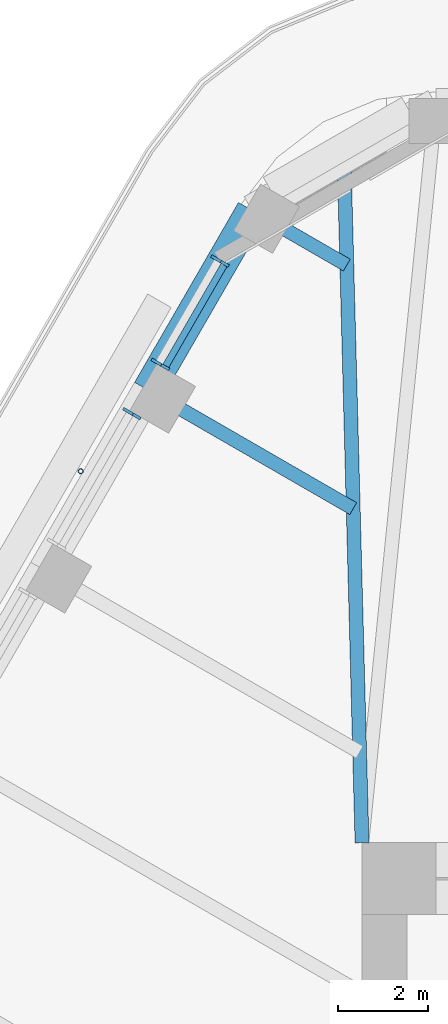
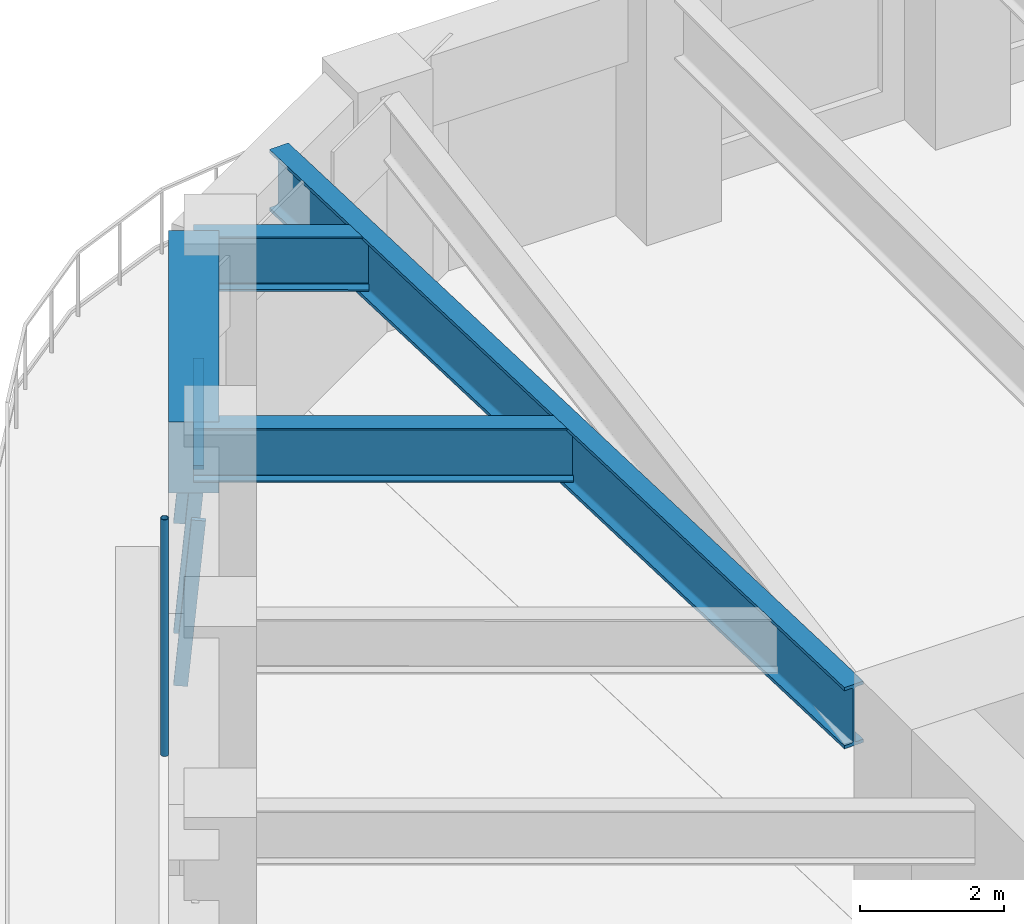
# One storey, part 8 of 20: 5 members, 4 beams, 2 elements without a shape of their own.
"""IFC4 building model written with IfcOpenShell, lengths in metres."""

from ifc_helpers import new_model, si_unit, direction, frame, origin, origin_2d, place, context, subcontext, project, spatial, rectangle, hollow_circle, i_section, extrude, material, material_profile, profile_set, type_object, element, aggregate, save


model = new_model("IFC4")

# Units and contexts
model_context = context("Model", 3, precision=1e-05, world=origin(), true_north=direction((0.0, 1.0)))
body_context = subcontext(model_context, "Body", "Model", "MODEL_VIEW")
ifc_project = project(units=[si_unit("LENGTHUNIT", "METRE"), si_unit("AREAUNIT", "SQUARE_METRE"), si_unit("VOLUMEUNIT", "CUBIC_METRE"), si_unit("PLANEANGLEUNIT", "RADIAN"), si_unit("MASSUNIT", "GRAM", prefix="KILO")], contexts=[model_context])

# Site, building, storey
site_placement = place(None, origin())
site = spatial("IfcSite", under=ifc_project, at=site_placement, CompositionType="ELEMENT")
building_placement = place(site_placement, origin())
building = spatial("IfcBuilding", under=site, at=building_placement, Name="Tarfa Lantern Tower", CompositionType="ELEMENT")
storey_placement = place(building_placement, frame((0.0, 0.0, 261.699951171875)))
storey = spatial("IfcBuildingStorey", under=building, at=storey_placement, Name="L59", CompositionType="ELEMENT", Elevation=261.699951171875)

# Curtain wall, members
ifc_material_1 = material(Name="Aluminium framed curtain wall", Category="aluminium")
curtain_wall_type = type_object("IfcCurtainWallType", Name="CW3 CANTED GLAZING HIGH ZONE 2800", PredefinedType="USERDEFINED", material=ifc_material_1)
curtain_wall_1_placement = place(storey_placement, origin())
curtain_wall_1 = element("IfcCurtainWall", 1, at=curtain_wall_1_placement, inside=storey, type_object=curtain_wall_type, Name="CW3 NW L59", ObjectType="CURTAIN WALL", PredefinedType="USERDEFINED")
ifc_material_2 = material(Name="Aluminium mullion", Category="aluminium")
ifc_material_profile_1 = material_profile(ifc_material_2, rectangle(XDim=0.06494140625, YDim=0.199951171875, at=origin_2d()), Name="AL MULLION 65x200")
ifc_profile_set_1 = profile_set([ifc_material_profile_1], Name="Aluminium mullion")
member_type_1 = type_object("IfcMemberType", Name="CWM1 MULLION 65x200", PredefinedType="MULLION", material=ifc_profile_set_1)
member_1_placement = place(storey_placement, frame((-18.76611328125, 25.296142578125, 0.0), z_axis=(0.077032386753, -0.044465143199, 0.996036576854), x_axis=(0.499919672301, 0.866071776036, 0.0)))
member_1 = element("IfcMember", 2, at=member_1_placement, type_object=member_type_1, Name="CW3 mullion 1", PredefinedType="MULLION", context=body_context, shape_type="SweptSolid", body=[
    extrude(rectangle(XDim=0.06494140625, YDim=0.199951171875, at=origin_2d()), origin(), (0.0, 0.0, 1.0), 2.811279296875),
])
member_2_placement = place(storey_placement, frame((-20.093017578125, 22.997802734375, 0.0), z_axis=(0.077032386753, -0.044465143199, 0.996036576854), x_axis=(0.499919672301, 0.866071776036, 0.0)))
member_2 = element("IfcMember", 3, at=member_2_placement, type_object=member_type_1, Name="CW3 mullion 2", PredefinedType="MULLION", context=body_context, shape_type="SweptSolid", body=[
    extrude(rectangle(XDim=0.06494140625, YDim=0.199951171875, at=origin_2d()), origin(), (0.0, 0.0, 1.0), 2.811279296875),
])

# Curtain wall, member
curtain_wall_2_placement = place(storey_placement, origin())
curtain_wall_2 = element("IfcCurtainWall", 4, at=curtain_wall_2_placement, inside=storey, type_object=curtain_wall_type, Name="CW3 NW L59", ObjectType="CURTAIN WALL", PredefinedType="USERDEFINED")
member_3_placement = place(storey_placement, frame((-20.7255859375, 21.90234375, 0.0), z_axis=(0.077032386753, -0.044465143199, 0.996036576854), x_axis=(0.499919672301, 0.866071776036, 0.0)))
member_3 = element("IfcMember", 5, at=member_3_placement, type_object=member_type_1, Name="CW3 mullion 1", PredefinedType="MULLION", context=body_context, shape_type="SweptSolid", body=[
    extrude(rectangle(XDim=0.06494140625, YDim=0.199951171875, at=origin_2d()), origin(), (0.0, 0.0, 1.0), 2.811279296875),
])
aggregate(curtain_wall_2, [member_3])

# Member
ifc_material_3 = material(Name="Aluminium transom", Category="aluminium")
ifc_material_profile_2 = material_profile(ifc_material_3, rectangle(XDim=0.14990234375, YDim=0.06494140625, at=origin_2d()), Name="AL TRANSOM 150x65")
ifc_profile_set_2 = profile_set([ifc_material_profile_2], Name="Aluminium transom")
member_type_2 = type_object("IfcMemberType", Name="CWT1 TRANSOM 150x65", PredefinedType="USERDEFINED", material=ifc_profile_set_2)
member_4_placement = place(storey_placement, frame((-18.568359375, 25.144287109375, 2.767578125), z_axis=(-0.5000136139, -0.866017543653, 0.0), x_axis=(0.866017543653, -0.5000136139, 0.0)))
member_4 = element("IfcMember", 6, at=member_4_placement, type_object=member_type_2, Name="CW3 transom 1.2", ObjectType="TRANSOM", PredefinedType="USERDEFINED", context=body_context, shape_type="SweptSolid", body=[
    extrude(rectangle(XDim=0.14990234375, YDim=0.06494140625, at=origin_2d()), origin(), (0.0, 0.0, 1.0), 2.5888671875),
])

aggregate(curtain_wall_1, [member_1, member_2, member_4])

# Beam
ifc_material_4 = material(Name="Concrete C80/95", Category="concrete")
ifc_material_profile_3 = material_profile(ifc_material_4, rectangle(XDim=0.699951171875, YDim=1.199951171875, at=origin_2d()), Name="RC 700x1200")
ifc_profile_set_3 = profile_set([ifc_material_profile_3], Name="Concrete C80/95")
beam_type_1 = type_object("IfcBeamType", Name="EB3 RC 700x1200", PredefinedType="SPANDREL", material=ifc_profile_set_3)
beam_1_placement = place(storey_placement, frame((-17.944091796875, 26.360107421875, 3.400146484375), z_axis=(-0.499987836815, -0.866032426089, 0.0), x_axis=(0.866032426089, -0.499987836815, 0.0)))
element("IfcBeam", 7, at=beam_1_placement, inside=storey, type_object=beam_type_1, Name="Edge beam NW0", PredefinedType="SPANDREL", context=body_context, shape_type="SweptSolid", body=[
    extrude(rectangle(XDim=0.699951171875, YDim=1.199951171875, at=origin_2d()), origin(), (0.0, 0.0, 1.0), 4.61865234375),
])

# Member
ifc_material_5 = material(Name="Steel S355", Category="steel")
ifc_material_profile_4 = material_profile(ifc_material_5, hollow_circle(Radius=0.05712890625, WallThickness=0.00634765625, at=origin_2d()), Name="CHS114.3x6.3")
ifc_profile_set_4 = profile_set([ifc_material_profile_4], Name="Steel S355")
member_type_3 = type_object("IfcMemberType", Name="TR1 GREEN WALL TRELLIS CHS114.3x6.3", PredefinedType="USERDEFINED", material=ifc_profile_set_4)
member_5_placement = place(storey_placement, frame((-21.754638671875, 20.56005859375, 0.0), z_axis=(0.0, 0.0, 1.0), x_axis=(1.0, 0.0, 0.0)))
element("IfcMember", 8, at=member_5_placement, inside=storey, type_object=member_type_3, Name="Trellis post NW 1", ObjectType="TRELLIS", PredefinedType="USERDEFINED", context=body_context, shape_type="SweptSolid", body=[
    extrude(hollow_circle(Radius=0.05712890625, WallThickness=0.00634765625, at=origin_2d()), origin(), (0.0, 0.0, 1.0), 4.0),
])

# Beams
ifc_material_6 = material(Name="Steel S460M", Category="steel")
ifc_material_profile_5 = material_profile(ifc_material_6, i_section(OverallWidth=0.30859375, OverallDepth=1.036376953125, WebThickness=0.030029296875, FlangeThickness=0.05419921875, FilletRadius=0.030029296875, at=origin_2d()), Name="UB1016x305x487")
ifc_profile_set_5 = profile_set([ifc_material_profile_5], Name="Steel S460M")
beam_type_2 = type_object("IfcBeamType", Name="UB1016x305x487", PredefinedType="BEAM", material=ifc_profile_set_5)
beam_2_placement = place(storey_placement, frame((-15.5, 12.300048828125, 3.48193359375), z_axis=(-0.026247301989, 0.999655480222, 0.0), x_axis=(-0.999655480222, -0.026247301989, 0.0)))
element("IfcBeam", 9, at=beam_2_placement, inside=storey, type_object=beam_type_2, Name="Hip girder NW", PredefinedType="BEAM", context=body_context, shape_type="SweptSolid", body=[
    extrude(i_section(OverallWidth=0.30859375, OverallDepth=1.036376953125, WebThickness=0.030029296875, FlangeThickness=0.05419921875, FilletRadius=0.030029296875, at=origin_2d()), origin(), (0.0, 0.0, 1.0), 15.245361328125),
])
ifc_material_profile_6 = material_profile(ifc_material_6, i_section(OverallWidth=0.305419921875, OverallDepth=0.91845703125, WebThickness=0.017333984375, FlangeThickness=0.02783203125, FilletRadius=0.01904296875, at=origin_2d()), Name="UB914x305x253")
ifc_profile_set_6 = profile_set([ifc_material_profile_6], Name="Steel S460M")
beam_type_3 = type_object("IfcBeamType", Name="UB914x305x253", PredefinedType="BEAM", material=ifc_profile_set_6)
beam_3_placement = place(storey_placement, frame((-17.944091796875, 26.360107421875, 3.540771484375), z_axis=(0.865980009423, -0.5000786171, 0.0), x_axis=(0.5000786171, 0.865980009423, 0.0)))
element("IfcBeam", 10, at=beam_3_placement, inside=storey, type_object=beam_type_3, Name="Floor beam NW0", PredefinedType="BEAM", context=body_context, shape_type="SweptSolid", body=[
    extrude(i_section(OverallWidth=0.305419921875, OverallDepth=0.91845703125, WebThickness=0.017333984375, FlangeThickness=0.02783203125, FilletRadius=0.01904296875, at=origin_2d()), origin(), (0.0, 0.0, 1.0), 2.4326171875),
])
beam_4_placement = place(storey_placement, frame((-20.25341796875, 22.360107421875, 3.540771484375), z_axis=(0.86601951648, -0.500010196972, 0.0), x_axis=(0.500010196972, 0.86601951648, 0.0)))
element("IfcBeam", 11, at=beam_4_placement, inside=storey, type_object=beam_type_3, Name="Floor beam NW1", PredefinedType="BEAM", context=body_context, shape_type="SweptSolid", body=[
    extrude(i_section(OverallWidth=0.305419921875, OverallDepth=0.91845703125, WebThickness=0.017333984375, FlangeThickness=0.02783203125, FilletRadius=0.01904296875, at=origin_2d()), origin(), (0.0, 0.0, 1.0), 5.263671875),
])

save(model, "model.ifc")
